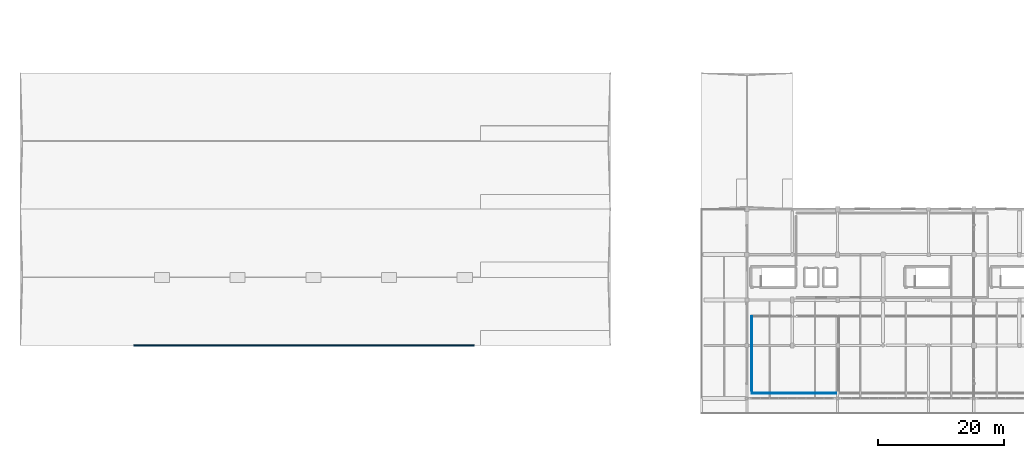
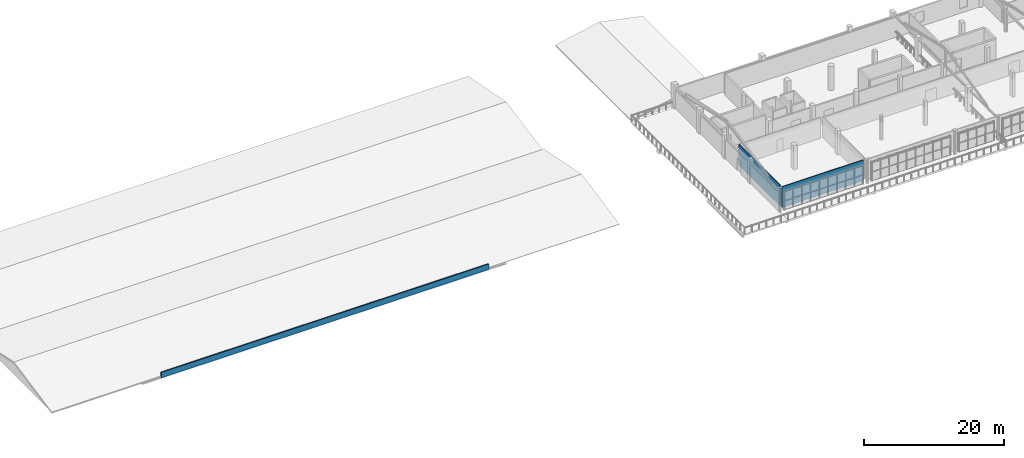
# One storey, part 33 of 41: 3 walls.
"""IFC4 building model written with IfcOpenShell, lengths in metres."""

from ifc_helpers import new_model, si_unit, direction, frame, frame_2d, origin, place, context, subcontext, project, spatial, rectangle, extrude, material, layer, layer_set, type_object, element, save


model = new_model("IFC4")

# Units and contexts
model_context = context("Model", 3, precision=1e-05, world=origin(), true_north=direction((0.0, 1.0)))
body_context = subcontext(model_context, "Body", "Model", "MODEL_VIEW")
ifc_project = project(units=[si_unit("LENGTHUNIT", "METRE"), si_unit("AREAUNIT", "SQUARE_METRE"), si_unit("VOLUMEUNIT", "CUBIC_METRE"), si_unit("PLANEANGLEUNIT", "RADIAN"), si_unit("MASSUNIT", "GRAM", prefix="KILO")], contexts=[model_context])

# Site, building, storey
site_placement = place(None, origin())
site = spatial("IfcSite", under=ifc_project, at=site_placement, CompositionType="ELEMENT")
building_placement = place(site_placement, origin())
building = spatial("IfcBuilding", under=site, at=building_placement, Name="Solanera Park Tramway Depot", CompositionType="ELEMENT")
storey_placement = place(building_placement, frame((0.0, 0.0, 13.199951171875)))
storey = spatial("IfcBuildingStorey", under=building, at=storey_placement, Name="L03", CompositionType="ELEMENT", Elevation=13.199951171875)

# Walls
ifc_material_1 = material(Name="Concrete N32 (C32/40)", Category="concrete")
ifc_layer_1 = layer(ifc_material_1, 0.14990234375)
ifc_layer_set_1 = layer_set([ifc_layer_1], Name="Concrete N32 (C32/40)")
wall_type_1 = type_object("IfcWallType", Name="Acoustic Partition 150", PredefinedType="PARTITIONING", material=ifc_layer_set_1)
wall_1_placement = place(storey_placement, frame((129.39990234375, 3.199951171875, 0.0), z_axis=(0.0, 0.0, 1.0), x_axis=(-1.0, 0.0, 0.0)))
element("IfcWall", 1, at=wall_1_placement, inside=storey, type_object=wall_type_1, Name="Managing Director and Executive Offices Dividing Wall", PredefinedType="PARTITIONING", context=body_context, shape_type="SweptSolid", body=[
    extrude(rectangle(XDim=13.39990234375, YDim=0.14990234375, at=frame_2d((6.699951171875, 0.0))), origin(), (0.0, 0.0, 1.0), 3.60009765625),
])
wall_2_placement = place(storey_placement, frame((116.0, 15.39990234375, 0.0), z_axis=(0.0, 0.0, 1.0), x_axis=(0.0, -1.0, 0.0)))
element("IfcWall", 2, at=wall_2_placement, inside=storey, type_object=wall_type_1, Name="Managing Director and Executive Offices Dividing Wall", PredefinedType="PARTITIONING", context=body_context, shape_type="SweptSolid", body=[
    extrude(rectangle(XDim=11.75, YDim=0.14990234375, at=frame_2d((5.875, 0.0))), origin(), (0.0, 0.0, 1.0), 3.60009765625),
])
ifc_material_2 = material(Name="Concrete N32 (C32/40)", Category="concrete")
ifc_layer_2 = layer(ifc_material_2, 0.199951171875)
ifc_layer_set_2 = layer_set([ifc_layer_2], Name="Concrete N32 (C32/40)")
wall_type_2 = type_object("IfcWallType", Name="Roof Parapet Wall 200", PredefinedType="PARAPET", material=ifc_layer_set_2)
wall_3_placement = place(storey_placement, frame((18.0, 10.800048828125, 0.0), z_axis=(0.0, 0.0, 1.0), x_axis=(1.0, 0.0, 0.0)))
element("IfcWall", 3, at=wall_3_placement, inside=storey, type_object=wall_type_2, Name="Roof Parapet Wall #06", PredefinedType="PARAPET", context=body_context, shape_type="SweptSolid", body=[
    extrude(rectangle(XDim=54.0, YDim=0.199951171875, at=frame_2d((27.0, 0.0))), origin(), (0.0, 0.0, 1.0), 0.949951171875),
])

save(model, "model.ifc")
